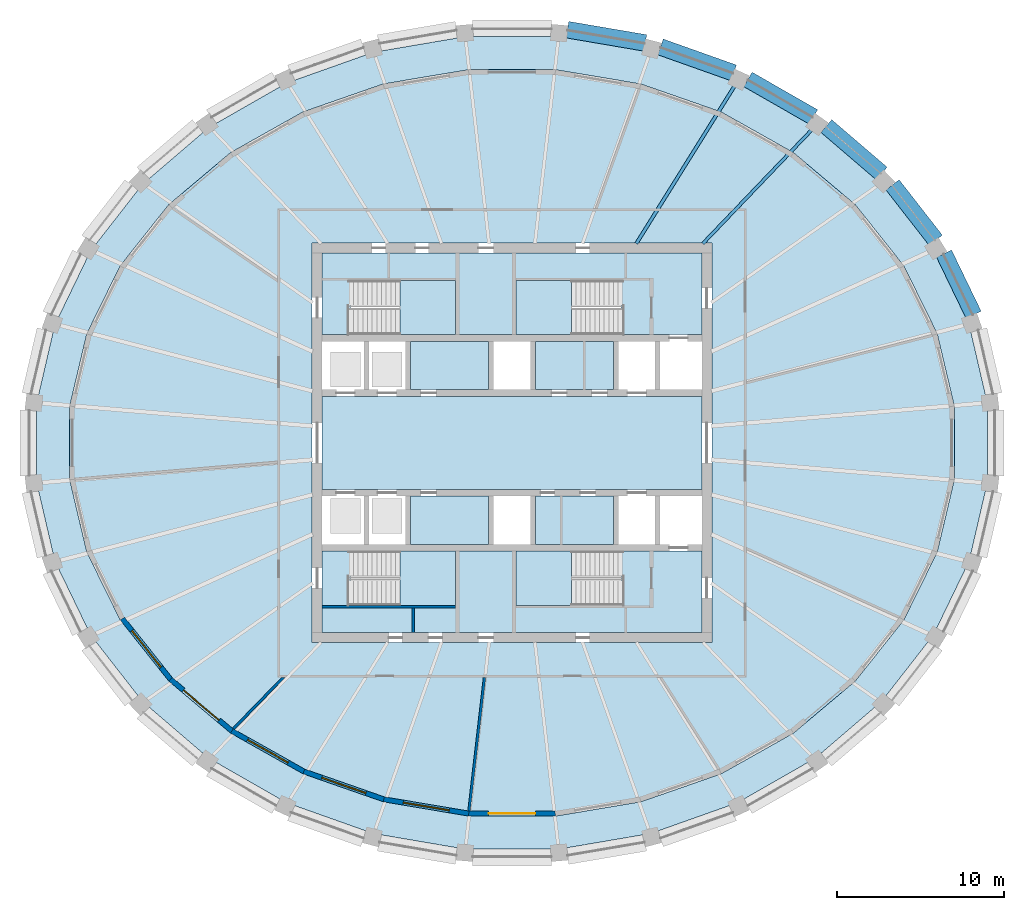
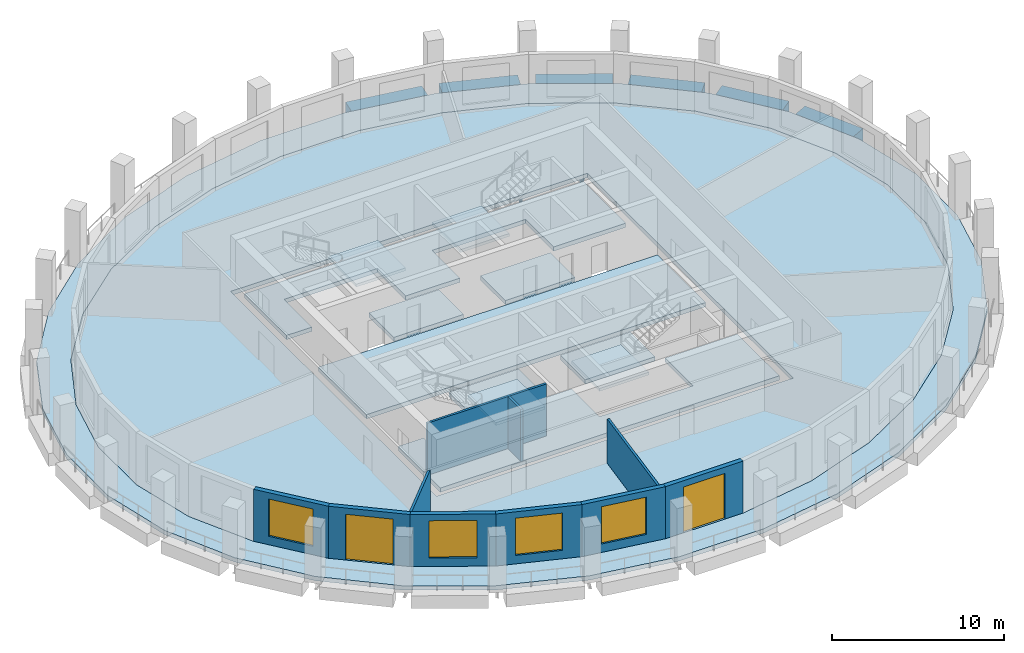
# One storey, part 2 of 10: 13 slabs, 10 walls, 8 beams, 4 windows, 2 doors, 6 openings, 4 elements without a shape of their own.
"""IFC4 building model written with IfcOpenShell, lengths in metres."""

import ifcopenshell
import ifcopenshell.guid

model = None  # the IFC model being written
_history = None  # IfcOwnerHistory: only IFC2X3 demands one
_inside = {}  # id of a spatial element -> (the spatial element, [elements in it])
_under = {}  # id of a project, library or spatial element -> (it, [spatial elements below it])
_declared = {}  # id of a project -> (the project, [libraries it declares])
_typed = {}  # id of a type object -> (the type object, [elements of that type])
_made_of = {}  # id of a material, layer set ... -> (it, [elements and type objects made of it])


def new_model(schema):
    """Start an empty IFC model of exactly this schema.

    Asked for "IFC4X3", IfcOpenShell would pick the latest addendum, in which some entities
    have other attributes; the version numbers below select the first issue.
    IFC2X3 requires an IfcOwnerHistory on every rooted entity: one is made here for all.
    """
    global model, _history
    if schema == "IFC4X3":
        model = ifcopenshell.file(schema_version=(4, 3, 0, 0))
    else:
        model = ifcopenshell.file(schema=schema)
    _inside.clear()
    _under.clear()
    _declared.clear()
    _typed.clear()
    _made_of.clear()
    _history = None
    if model.schema == "IFC2X3":
        org = make("IfcOrganization", Name="unknown")
        user = make(
            "IfcPersonAndOrganization",
            ThePerson=make("IfcPerson", FamilyName="unknown"),
            TheOrganization=org,
        )
        app = make(
            "IfcApplication",
            ApplicationDeveloper=org,
            Version="unknown",
            ApplicationFullName="unknown",
            ApplicationIdentifier="unknown",
        )
        _history = make(
            "IfcOwnerHistory",
            OwningUser=user,
            OwningApplication=app,
            ChangeAction="ADDED",
            CreationDate=0,
        )
    return model


def make(cls, **values):
    """One entity of the class cls with the attributes given. An attribute that is None is left unset."""
    return model.create_entity(
        cls, **{name: value for name, value in values.items() if value is not None}
    )


def rooted(cls, **values):
    """An entity with a GlobalId (a new one), such as an element, a storey or a relation."""
    return make(cls, GlobalId=ifcopenshell.guid.new(), OwnerHistory=_history, **values)


def si_unit(unit_type, name, prefix=None):
    """IfcSIUnit, for example si_unit("LENGTHUNIT", "METRE", prefix="MILLI")."""
    return make("IfcSIUnit", UnitType=unit_type, Prefix=prefix, Name=name)


def assignment(units):
    """IfcUnitAssignment: the units of a project."""
    return None if units is None else make("IfcUnitAssignment", Units=units)


def point(xyz):
    """IfcCartesianPoint."""
    return None if xyz is None else make("IfcCartesianPoint", Coordinates=xyz)


def direction(xyz):
    """IfcDirection."""
    return None if xyz is None else make("IfcDirection", DirectionRatios=xyz)


def frame(location, z_axis=None, x_axis=None):
    """IfcAxis2Placement3D, a coordinate frame: its origin and axes. An axis left out is left unset."""
    return make(
        "IfcAxis2Placement3D",
        Location=point(location),
        Axis=direction(z_axis),
        RefDirection=direction(x_axis),
    )


def frame_2d(location, x_axis=None):
    """IfcAxis2Placement2D, a coordinate frame in the plane: its origin and x axis."""
    return make(
        "IfcAxis2Placement2D", Location=point(location), RefDirection=direction(x_axis)
    )


def origin():
    """The frame at (0, 0, 0) with its axes left unset."""
    return frame((0.0, 0.0, 0.0))


def origin_2d():
    """The frame at (0, 0) in the plane with its x axis left unset."""
    return frame_2d((0.0, 0.0))


def place(relative_to, where):
    """IfcLocalPlacement: puts the frame where relative to a parent placement (None: the world)."""
    return make(
        "IfcLocalPlacement", PlacementRelTo=relative_to, RelativePlacement=where
    )


def context(
    kind, dimensions, precision=None, world=None, true_north=None, identifier=None
):
    """IfcGeometricRepresentationContext, for example the 3D "Model" context."""
    return make(
        "IfcGeometricRepresentationContext",
        ContextIdentifier=identifier,
        ContextType=kind,
        CoordinateSpaceDimension=dimensions,
        Precision=precision,
        WorldCoordinateSystem=world,
        TrueNorth=true_north,
    )


def subcontext(parent, identifier, kind, view, scale=None):
    """IfcGeometricRepresentationSubContext, for example "Body" below "Model"."""
    return make(
        "IfcGeometricRepresentationSubContext",
        ContextIdentifier=identifier,
        ContextType=kind,
        ParentContext=parent,
        TargetScale=scale,
        TargetView=view,
    )


def project(units=None, contexts=None):
    """IfcProject with its units and contexts."""
    return rooted(
        "IfcProject",
        Name="project",
        RepresentationContexts=contexts,
        UnitsInContext=assignment(units),
    )


def spatial(cls, under=None, at=None, **own):
    """A site, building, storey or space (cls), placed at a placement, below another one or the project."""
    s = rooted(cls, ObjectPlacement=at, **own)
    if under is not None:
        _under.setdefault(under.id(), (under, []))[1].append(s)
    return s


def polyline(points):
    """IfcPolyline through the points."""
    return make("IfcPolyline", Points=[point(p) for p in points])


def profile(cls, at=None, kind="AREA", **sizes):
    """A parametric profile (cls). Its sizes go by their IFC names, for example OverallWidth=200.0."""
    return make(cls, ProfileType=kind, Position=at, **sizes)


def rectangle(**sizes):
    """IfcRectangleProfileDef."""
    return profile("IfcRectangleProfileDef", **sizes)


def i_section(**sizes):
    """IfcIShapeProfileDef."""
    return profile("IfcIShapeProfileDef", **sizes)


def outline(outer, holes=None, kind="AREA"):
    """IfcArbitraryClosedProfileDef: a profile drawn as a closed curve; with holes, ...WithVoids."""
    if holes is None:
        return make("IfcArbitraryClosedProfileDef", ProfileType=kind, OuterCurve=outer)
    return make(
        "IfcArbitraryProfileDefWithVoids",
        ProfileType=kind,
        OuterCurve=outer,
        InnerCurves=holes,
    )


def extrude(swept, where, along, depth):
    """IfcExtrudedAreaSolid: the profile swept, set in the frame where, extruded along a direction by depth."""
    return make(
        "IfcExtrudedAreaSolid",
        SweptArea=swept,
        Position=where,
        ExtrudedDirection=direction(along),
        Depth=depth,
    )


def shape(context_of_items, identifier, shape_type, items):
    """IfcShapeRepresentation: the items that make up one representation, for example the "Body"."""
    return make(
        "IfcShapeRepresentation",
        ContextOfItems=context_of_items,
        RepresentationIdentifier=identifier,
        RepresentationType=shape_type,
        Items=items,
    )


def material(Name=None, Category=None):
    """IfcMaterial."""
    return make("IfcMaterial", Name=Name, Category=Category)


def layer(
    of_material, thickness, ventilated=None, Name=None, Category=None, Priority=None
):
    """IfcMaterialLayer: one layer of a wall or slab, of a material (None: an air gap)."""
    return make(
        "IfcMaterialLayer",
        Material=of_material,
        LayerThickness=thickness,
        IsVentilated=ventilated,
        Name=Name,
        Category=Category,
        Priority=Priority,
    )


def layer_set(layers, Name=None):
    """IfcMaterialLayerSet."""
    return make("IfcMaterialLayerSet", MaterialLayers=layers, LayerSetName=Name)


def material_profile(
    of_material, cross_section, Name=None, Category=None, Priority=None
):
    """IfcMaterialProfile: a cross section and its material."""
    return make(
        "IfcMaterialProfile",
        Name=Name,
        Material=of_material,
        Profile=cross_section,
        Priority=Priority,
        Category=Category,
    )


def profile_set(profiles, Name=None, composite=None):
    """IfcMaterialProfileSet."""
    return make(
        "IfcMaterialProfileSet",
        Name=Name,
        MaterialProfiles=profiles,
        CompositeProfile=composite,
    )


def made_of(thing, what):
    """Note that an element or type object is made of a material, layer set ...; save() writes the relation."""
    if what is not None:
        _made_of.setdefault(what.id(), (what, []))[1].append(thing)
    return thing


def type_object(cls, material=None, **own):
    """A type object (cls), such as IfcWallType, which elements share."""
    return made_of(rooted(cls, **own), material)


def element(
    cls,
    number,
    at=None,
    inside=None,
    cuts=None,
    type_object=None,
    material=None,
    context=None,
    identifier="Body",
    shape_type=None,
    held_by="IfcProductDefinitionShape",
    body=None,
    shapes=None,
    **own,
):
    """One element of the class cls, such as IfcWall. Its Tag is "e" and its number.

    at: its placement. inside: the storey or other place that contains it. cuts: it is an
    opening in that element (IfcRelVoidsElement). A single representation is given by context,
    identifier, shape_type and body (its items); several are given by shapes. held_by: the class
    of the entity that holds the representations. save() writes the other relations.
    """
    e = rooted(cls, Tag="e%d" % number, ObjectPlacement=at, **own)
    if body is not None:
        shapes = [shape(context, identifier, shape_type, body)]
    if shapes is not None:
        e.Representation = make(held_by, Representations=shapes)
    if inside is not None:
        _inside.setdefault(inside.id(), (inside, []))[1].append(e)
    if cuts is not None:
        rooted(
            "IfcRelVoidsElement", RelatingBuildingElement=cuts, RelatedOpeningElement=e
        )
    if type_object is not None:
        _typed.setdefault(type_object.id(), (type_object, []))[1].append(e)
    return made_of(e, material)


def fill(opening, filler):
    """IfcRelFillsElement: the door or window that sits in an opening."""
    return rooted(
        "IfcRelFillsElement",
        RelatingOpeningElement=opening,
        RelatedBuildingElement=filler,
    )


def aggregate(whole, parts):
    """IfcRelAggregates: a whole, such as a stair, and the parts it consists of."""
    return rooted("IfcRelAggregates", RelatingObject=whole, RelatedObjects=parts)


def save(model, path):
    """Write the relations noted so far, then the file.

    IfcRelAggregates (storeys below a building ...), IfcRelContainedInSpatialStructure (elements
    in a storey), IfcRelDefinesByType, IfcRelAssociatesMaterial and IfcRelDeclares: one each for
    every whole, place, type object, material and project.
    """
    for whole, parts in _under.values():
        aggregate(whole, parts)
    for where, things in _inside.values():
        rooted(
            "IfcRelContainedInSpatialStructure",
            RelatedElements=things,
            RelatingStructure=where,
        )
    for kind, things in _typed.values():
        rooted("IfcRelDefinesByType", RelatedObjects=things, RelatingType=kind)
    for what, things in _made_of.values():
        rooted("IfcRelAssociatesMaterial", RelatedObjects=things, RelatingMaterial=what)
    for by, libraries in _declared.values():
        rooted("IfcRelDeclares", RelatingContext=by, RelatedDefinitions=libraries)
    model.write(path)


model = new_model("IFC4")

# Units and contexts
model_context = context("Model", 3, precision=1e-05, world=origin(), true_north=direction((0.0, 1.0)))
body_context = subcontext(model_context, "Body", "Model", "MODEL_VIEW")
ifc_project = project(units=[si_unit("LENGTHUNIT", "METRE"), si_unit("AREAUNIT", "SQUARE_METRE"), si_unit("VOLUMEUNIT", "CUBIC_METRE"), si_unit("PLANEANGLEUNIT", "RADIAN"), si_unit("MASSUNIT", "GRAM", prefix="KILO")], contexts=[model_context])

# Site, building, storey
site_placement = place(None, origin())
site = spatial("IfcSite", under=ifc_project, at=site_placement, CompositionType="ELEMENT")
building_placement = place(site_placement, origin())
building = spatial("IfcBuilding", under=site, at=building_placement, Name="Halqa Exchange Tower", CompositionType="ELEMENT")
storey_placement = place(building_placement, frame((0.0, 0.0, 300.300048828125)))
storey = spatial("IfcBuildingStorey", under=building, at=storey_placement, Name="L70", CompositionType="ELEMENT", Elevation=300.300048828125)

# Beams
ifc_material_1 = material(Name="Steel S355", Category="steel")
ifc_material_profile_1 = material_profile(ifc_material_1, i_section(OverallWidth=0.18994140625, OverallDepth=0.449951171875, WebThickness=0.009521484375, FlangeThickness=0.0146484375, FilletRadius=0.02099609375, at=origin_2d()), Name="IPE 450")
ifc_profile_set_1 = profile_set([ifc_material_profile_1], Name="Steel S355")
beam_type_1 = type_object("IfcBeamType", Name="Floor beam IPE 450", PredefinedType="BEAM", material=ifc_profile_set_1)
beam_1_placement = place(storey_placement, frame((11.462890625, 11.97216796875, -0.525146484375), z_axis=(0.691588333375, 0.722291891924, 0.0), x_axis=(-0.722291891924, 0.691588333375, 0.0)))
element("IfcBeam", 1, at=beam_1_placement, inside=storey, type_object=beam_type_1, Name="Radial beam 5", PredefinedType="BEAM", context=body_context, shape_type="SweptSolid", body=[
    extrude(i_section(OverallWidth=0.18994140625, OverallDepth=0.449951171875, WebThickness=0.009521484375, FlangeThickness=0.0146484375, FilletRadius=0.02099609375, at=origin_2d()), origin(), (0.0, 0.0, 1.0), 9.820068359375),
])
ifc_material_profile_2 = material_profile(ifc_material_1, i_section(OverallWidth=0.199951171875, OverallDepth=0.5, WebThickness=0.01025390625, FlangeThickness=0.01611328125, FilletRadius=0.02099609375, at=origin_2d()), Name="IPE 500")
ifc_profile_set_2 = profile_set([ifc_material_profile_2], Name="Steel S355")
beam_type_2 = type_object("IfcBeamType", Name="Floor beam IPE 500", PredefinedType="BEAM", material=ifc_profile_set_2)
beam_2_placement = place(storey_placement, frame((7.4658203125, 11.97216796875, -0.550048828125), z_axis=(0.529140986863, 0.84853392155, 0.0), x_axis=(-0.84853392155, 0.529140986863, 0.0)))
element("IfcBeam", 2, at=beam_2_placement, inside=storey, type_object=beam_type_2, Name="Radial beam 6", PredefinedType="BEAM", context=body_context, shape_type="SweptSolid", body=[
    extrude(i_section(OverallWidth=0.199951171875, OverallDepth=0.5, WebThickness=0.01025390625, FlangeThickness=0.01611328125, FilletRadius=0.02099609375, at=origin_2d()), origin(), (0.0, 0.0, 1.0), 11.513916015625),
])
ifc_material_2 = material(Name="Concrete C60/75", Category="concrete")
ifc_material_profile_3 = material_profile(ifc_material_2, rectangle(XDim=1.0, YDim=0.89990234375, at=origin_2d()), Name="1000 x 900")
ifc_profile_set_3 = profile_set([ifc_material_profile_3], Name="Concrete C60/75")
beam_type_3 = type_object("IfcBeamType", Name="RC spandrel beam 1000 x 900 C60/75", PredefinedType="SPANDREL", material=ifc_profile_set_3)
beam_3_placement = place(storey_placement, frame((27.720703125, 7.689453125, -0.449951171875), z_axis=(-0.435091897701, 0.900386050844, 0.0), x_axis=(-0.900386050844, -0.435091897701, 0.0)))
element("IfcBeam", 3, at=beam_3_placement, inside=storey, type_object=beam_type_3, Name="Spandrel 2", PredefinedType="SPANDREL", context=body_context, shape_type="SweptSolid", body=[
    extrude(rectangle(XDim=1.0, YDim=0.89990234375, at=origin_2d()), origin(), (0.0, 0.0, 1.0), 4.082275390625),
])
beam_4_placement = place(storey_placement, frame((25.4462890625, 12.16650390625, -0.449951171875), z_axis=(-0.614849113514, 0.788644766426, 0.0), x_axis=(-0.788644766426, -0.614849113514, 0.0)))
element("IfcBeam", 4, at=beam_4_placement, inside=storey, type_object=beam_type_3, Name="Spandrel 3", PredefinedType="SPANDREL", context=body_context, shape_type="SweptSolid", body=[
    extrude(rectangle(XDim=1.0, YDim=0.89990234375, at=origin_2d()), origin(), (0.0, 0.0, 1.0), 4.22119140625),
])
beam_5_placement = place(storey_placement, frame((22.19970703125, 16.177978515625, -0.449951171875), z_axis=(-0.759244795716, 0.650805147627, 0.0), x_axis=(-0.650805147627, -0.759244795716, 0.0)))
element("IfcBeam", 5, at=beam_5_placement, inside=storey, type_object=beam_type_3, Name="Spandrel 4", PredefinedType="SPANDREL", context=body_context, shape_type="SweptSolid", body=[
    extrude(rectangle(XDim=1.0, YDim=0.89990234375, at=origin_2d()), origin(), (0.0, 0.0, 1.0), 4.37890625),
])
beam_6_placement = place(storey_placement, frame((18.10302734375, 19.572509765625, -0.449951171875), z_axis=(-0.867765502357, 0.496973875489, 0.0), x_axis=(-0.496973875489, -0.867765502357, 0.0)))
element("IfcBeam", 6, at=beam_6_placement, inside=storey, type_object=beam_type_3, Name="Spandrel 5", PredefinedType="SPANDREL", context=body_context, shape_type="SweptSolid", body=[
    extrude(rectangle(XDim=1.0, YDim=0.89990234375, at=origin_2d()), origin(), (0.0, 0.0, 1.0), 4.533203125),
])
beam_7_placement = place(storey_placement, frame((13.310791015625, 22.2197265625, -0.449951171875), z_axis=(-0.942367036973, 0.334580883535, 0.0), x_axis=(-0.334580883535, -0.942367036973, 0.0)))
element("IfcBeam", 7, at=beam_7_placement, inside=storey, type_object=beam_type_3, Name="Spandrel 6", PredefinedType="SPANDREL", context=body_context, shape_type="SweptSolid", body=[
    extrude(rectangle(XDim=1.0, YDim=0.89990234375, at=origin_2d()), origin(), (0.0, 0.0, 1.0), 4.662109375),
])
beam_8_placement = place(storey_placement, frame((8.00390625, 24.017578125, -0.449951171875), z_axis=(-0.985779293953, 0.168045183248, 0.0), x_axis=(-0.168045183248, -0.985779293953, 0.0)))
element("IfcBeam", 8, at=beam_8_placement, inside=storey, type_object=beam_type_3, Name="Spandrel 7", PredefinedType="SPANDREL", context=body_context, shape_type="SweptSolid", body=[
    extrude(rectangle(XDim=1.0, YDim=0.89990234375, at=origin_2d()), origin(), (0.0, 0.0, 1.0), 4.743408203125),
])

# Slabs
ifc_layer_1 = layer(ifc_material_2, 0.300048828125)
ifc_layer_set_1 = layer_set([ifc_layer_1], Name="Concrete C60/75")
slab_type_1 = type_object("IfcSlabType", Name="Core floor slab 300", PredefinedType="FLOOR", material=ifc_layer_set_1)
slab_1_placement = place(storey_placement, frame((0.0, 0.0, -0.300048828125)))
element("IfcSlab", 9, at=slab_1_placement, inside=storey, type_object=slab_type_1, Name="Core floor slab", PredefinedType="FLOOR", context=body_context, shape_type="SweptSolid", body=[
    extrude(outline(polyline([(-11.39990234375, 2.800048828125), (11.39990234375, 2.800048828125), (11.39990234375, -2.800048828125), (-11.39990234375, -2.800048828125), (-11.39990234375, 2.800048828125)])), origin(), (0.0, 0.0, 1.0), 0.300048828125),
])
slab_2_placement = place(storey_placement, frame((0.0, 0.0, -0.300048828125)))
element("IfcSlab", 10, at=slab_2_placement, inside=storey, type_object=slab_type_1, Name="Core floor slab", PredefinedType="FLOOR", context=body_context, shape_type="SweptSolid", body=[
    extrude(outline(polyline([(-11.39990234375, 11.39990234375), (11.39990234375, 11.39990234375), (11.39990234375, 6.5), (6.550048828125, 6.5), (6.550048828125, 9.75), (0.25, 9.75), (0.25, 6.5), (-3.39990234375, 6.5), (-3.39990234375, 9.75), (-9.699951171875, 9.75), (-9.699951171875, 6.5), (-11.39990234375, 6.5), (-11.39990234375, 11.39990234375)])), origin(), (0.0, 0.0, 1.0), 0.300048828125),
])
slab_3_placement = place(storey_placement, frame((0.0, 0.0, -0.300048828125)))
element("IfcSlab", 11, at=slab_3_placement, inside=storey, type_object=slab_type_1, Name="Core floor slab", PredefinedType="FLOOR", context=body_context, shape_type="SweptSolid", body=[
    extrude(outline(polyline([(-11.39990234375, -6.5), (-9.699951171875, -6.5), (-9.699951171875, -9.75), (-3.39990234375, -9.75), (-3.39990234375, -6.5), (0.25, -6.5), (0.25, -9.75), (6.550048828125, -9.75), (6.550048828125, -6.5), (11.39990234375, -6.5), (11.39990234375, -11.39990234375), (-11.39990234375, -11.39990234375), (-11.39990234375, -6.5)])), origin(), (0.0, 0.0, 1.0), 0.300048828125),
])
slab_4_placement = place(storey_placement, frame((0.0, 0.0, -0.300048828125)))
element("IfcSlab", 12, at=slab_4_placement, inside=storey, type_object=slab_type_1, Name="Core floor slab", PredefinedType="FLOOR", context=body_context, shape_type="SweptSolid", body=[
    extrude(outline(polyline([(-1.39990234375, -3.199951171875), (-1.39990234375, -6.10009765625), (-6.10009765625, -6.10009765625), (-6.10009765625, -3.199951171875), (-1.39990234375, -3.199951171875)])), origin(), (0.0, 0.0, 1.0), 0.300048828125),
])
slab_5_placement = place(storey_placement, frame((0.0, 0.0, -0.300048828125)))
element("IfcSlab", 13, at=slab_5_placement, inside=storey, type_object=slab_type_1, Name="Core floor slab", PredefinedType="FLOOR", context=body_context, shape_type="SweptSolid", body=[
    extrude(outline(polyline([(-1.39990234375, 3.199951171875), (-6.10009765625, 3.199951171875), (-6.10009765625, 6.10009765625), (-1.39990234375, 6.10009765625), (-1.39990234375, 3.199951171875)])), origin(), (0.0, 0.0, 1.0), 0.300048828125),
])
slab_6_placement = place(storey_placement, frame((0.0, 0.0, -0.300048828125)))
element("IfcSlab", 14, at=slab_6_placement, inside=storey, type_object=slab_type_1, Name="Core floor slab", PredefinedType="FLOOR", context=body_context, shape_type="SweptSolid", body=[
    extrude(outline(polyline([(6.10009765625, -3.199951171875), (6.10009765625, -6.10009765625), (1.39990234375, -6.10009765625), (1.39990234375, -3.199951171875), (6.10009765625, -3.199951171875)])), origin(), (0.0, 0.0, 1.0), 0.300048828125),
])
slab_7_placement = place(storey_placement, frame((0.0, 0.0, -0.300048828125)))
element("IfcSlab", 15, at=slab_7_placement, inside=storey, type_object=slab_type_1, Name="Core floor slab", PredefinedType="FLOOR", context=body_context, shape_type="SweptSolid", body=[
    extrude(outline(polyline([(6.10009765625, 6.10009765625), (6.10009765625, 3.199951171875), (1.39990234375, 3.199951171875), (1.39990234375, 6.10009765625), (6.10009765625, 6.10009765625)])), origin(), (0.0, 0.0, 1.0), 0.300048828125),
])
ifc_material_3 = material(Name="Concrete C40/50", Category="concrete")
ifc_layer_2 = layer(ifc_material_3, 0.300048828125)
ifc_layer_set_2 = layer_set([ifc_layer_2], Name="Concrete C40/50")
slab_type_2 = type_object("IfcSlabType", Name="RC floor slab 300", PredefinedType="FLOOR", material=ifc_layer_set_2)
slab_8_placement = place(storey_placement, frame((0.0, 0.0, -0.300048828125)))
element("IfcSlab", 16, at=slab_8_placement, inside=storey, type_object=slab_type_2, Name="Floor slab", PredefinedType="FLOOR", context=body_context, shape_type="SweptSolid", body=[
    extrude(outline(polyline([(26.55712890625, 2.21240234375), (25.5322265625, 6.55078125), (23.523681640625, 10.63330078125), (20.611572265625, 14.302978515625), (16.90966796875, 17.419921875), (12.561279296875, 19.866455078125), (7.733642578125, 21.550048828125), (2.611083984375, 22.407958984375), (-2.611083984375, 22.407958984375), (-7.733642578125, 21.550048828125), (-12.561279296875, 19.866455078125), (-16.90966796875, 17.419921875), (-20.611572265625, 14.302978515625), (-23.523681640625, 10.63330078125), (-25.5322265625, 6.55078125), (-26.55712890625, 2.21240234375), (-26.55712890625, -2.21240234375), (-25.5322265625, -6.55078125), (-23.523681640625, -10.63330078125), (-20.611572265625, -14.302978515625), (-16.90966796875, -17.419921875), (-12.561279296875, -19.866455078125), (-7.733642578125, -21.550048828125), (-2.611083984375, -22.407958984375), (2.611083984375, -22.407958984375), (7.733642578125, -21.550048828125), (12.561279296875, -19.866455078125), (16.90966796875, -17.419921875), (20.611572265625, -14.302978515625), (23.523681640625, -10.63330078125), (25.5322265625, -6.55078125), (26.55712890625, -2.21240234375), (26.55712890625, 2.21240234375)]), holes=[polyline([(-12.0, -12.0), (12.0, -12.0), (12.0, 12.0), (-12.0, 12.0), (-12.0, -12.0)])]), origin(), (0.0, 0.0, 1.0), 0.300048828125),
])
ifc_layer_3 = layer(ifc_material_3, 0.300048828125)
ifc_layer_set_3 = layer_set([ifc_layer_3], Name="Concrete C40/50")
slab_type_3 = type_object("IfcSlabType", Name="RC loggia slab 300", PredefinedType="FLOOR", material=ifc_layer_set_3)
slab_9_placement = place(storey_placement, frame((0.0, 0.0, -0.300048828125)))
element("IfcSlab", 17, at=slab_9_placement, inside=storey, type_object=slab_type_3, Name="Loggia slab", PredefinedType="FLOOR", context=body_context, shape_type="SweptSolid", body=[
    extrude(outline(polyline([(28.543701171875, 2.39453125), (28.543701171875, -2.39453125), (27.452880859375, -7.09423828125), (25.311279296875, -11.526611328125), (22.1962890625, -15.522216796875), (18.224853515625, -18.926513671875), (13.547607421875, -21.60498046875), (8.34521484375, -23.452392578125), (2.818359375, -24.39453125), (-2.818359375, -24.39453125), (-8.34521484375, -23.452392578125), (-13.547607421875, -21.60498046875), (-18.224853515625, -18.926513671875), (-22.1962890625, -15.522216796875), (-25.311279296875, -11.526611328125), (-27.452880859375, -7.09423828125), (-28.543701171875, -2.39453125), (-28.543701171875, 2.39453125), (-27.452880859375, 7.09423828125), (-25.311279296875, 11.526611328125), (-22.1962890625, 15.522216796875), (-18.224853515625, 18.926513671875), (-13.547607421875, 21.60498046875), (-8.34521484375, 23.452392578125), (-2.818359375, 24.39453125), (2.818359375, 24.39453125), (8.34521484375, 23.452392578125), (13.547607421875, 21.60498046875), (18.224853515625, 18.926513671875), (22.1962890625, 15.522216796875), (25.311279296875, 11.526611328125), (27.452880859375, 7.09423828125), (28.543701171875, 2.39453125)]), holes=[polyline([(26.55712890625, 2.21240234375), (25.5322265625, 6.55078125), (23.523681640625, 10.63330078125), (20.611572265625, 14.302978515625), (16.90966796875, 17.419921875), (12.561279296875, 19.866455078125), (7.733642578125, 21.550048828125), (2.611083984375, 22.407958984375), (-2.611083984375, 22.407958984375), (-7.733642578125, 21.550048828125), (-12.561279296875, 19.866455078125), (-16.90966796875, 17.419921875), (-20.611572265625, 14.302978515625), (-23.523681640625, 10.63330078125), (-25.5322265625, 6.55078125), (-26.55712890625, 2.21240234375), (-26.55712890625, -2.21240234375), (-25.5322265625, -6.55078125), (-23.523681640625, -10.63330078125), (-20.611572265625, -14.302978515625), (-16.90966796875, -17.419921875), (-12.561279296875, -19.866455078125), (-7.733642578125, -21.550048828125), (-2.611083984375, -22.407958984375), (2.611083984375, -22.407958984375), (7.733642578125, -21.550048828125), (12.561279296875, -19.866455078125), (16.90966796875, -17.419921875), (20.611572265625, -14.302978515625), (23.523681640625, -10.63330078125), (25.5322265625, -6.55078125), (26.55712890625, -2.21240234375), (26.55712890625, 2.21240234375)])]), origin(), (0.0, 0.0, 1.0), 0.300048828125),
])

# Stair, slab
ifc_material_4 = material(Name="Concrete C30/37", Category="concrete")
stair_type = type_object("IfcStairType", Name="Exit stair 1500 wide", PredefinedType="HALF_TURN_STAIR", material=ifc_material_4)
stair_1_placement = place(storey_placement, origin())
stair_1 = element("IfcStair", 18, at=stair_1_placement, inside=storey, type_object=stair_type, Name="Exit stair ST1", PredefinedType="HALF_TURN_STAIR")
ifc_layer_4 = layer(ifc_material_4, 0.199951171875)
ifc_layer_set_4 = layer_set([ifc_layer_4], Name="Concrete C30/37")
slab_type_4 = type_object("IfcSlabType", Name="Stair landing 200 slab", PredefinedType="LANDING", material=ifc_layer_set_4)
slab_10_placement = place(storey_placement, frame((0.0, 0.0, 1.800048828125)))
slab_10 = element("IfcSlab", 19, at=slab_10_placement, type_object=slab_type_4, Name="ST1 landing 1", PredefinedType="LANDING", context=body_context, shape_type="SweptSolid", body=[
    extrude(outline(polyline([(-6.719970703125, 6.5), (-3.39990234375, 6.5), (-3.39990234375, 9.75), (-6.719970703125, 9.75), (-6.719970703125, 6.5)])), origin(), (0.0, 0.0, 1.0), 0.199951171875),
])
aggregate(stair_1, [slab_10])

stair_2_placement = place(storey_placement, origin())
stair_2 = element("IfcStair", 20, at=stair_2_placement, inside=storey, type_object=stair_type, Name="Exit stair ST2", PredefinedType="HALF_TURN_STAIR")
slab_11_placement = place(storey_placement, frame((0.0, 0.0, 1.800048828125)))
slab_11 = element("IfcSlab", 21, at=slab_11_placement, type_object=slab_type_4, Name="ST2 landing 1", PredefinedType="LANDING", context=body_context, shape_type="SweptSolid", body=[
    extrude(outline(polyline([(0.25, 6.5), (3.570068359375, 6.5), (3.570068359375, 9.75), (0.25, 9.75), (0.25, 6.5)])), origin(), (0.0, 0.0, 1.0), 0.199951171875),
])
aggregate(stair_2, [slab_11])

stair_3_placement = place(storey_placement, origin())
stair_3 = element("IfcStair", 22, at=stair_3_placement, inside=storey, type_object=stair_type, Name="Exit stair ST3", PredefinedType="HALF_TURN_STAIR")
slab_12_placement = place(storey_placement, frame((0.0, 0.0, 1.800048828125)))
slab_12 = element("IfcSlab", 23, at=slab_12_placement, type_object=slab_type_4, Name="ST3 landing 1", PredefinedType="LANDING", context=body_context, shape_type="SweptSolid", body=[
    extrude(outline(polyline([(-6.719970703125, -9.75), (-3.39990234375, -9.75), (-3.39990234375, -6.5), (-6.719970703125, -6.5), (-6.719970703125, -9.75)])), origin(), (0.0, 0.0, 1.0), 0.199951171875),
])
aggregate(stair_3, [slab_12])

stair_4_placement = place(storey_placement, origin())
stair_4 = element("IfcStair", 24, at=stair_4_placement, inside=storey, type_object=stair_type, Name="Exit stair ST4", PredefinedType="HALF_TURN_STAIR")
slab_13_placement = place(storey_placement, frame((0.0, 0.0, 1.800048828125)))
slab_13 = element("IfcSlab", 25, at=slab_13_placement, type_object=slab_type_4, Name="ST4 landing 1", PredefinedType="LANDING", context=body_context, shape_type="SweptSolid", body=[
    extrude(outline(polyline([(0.25, -9.75), (3.570068359375, -9.75), (3.570068359375, -6.5), (0.25, -6.5), (0.25, -9.75)])), origin(), (0.0, 0.0, 1.0), 0.199951171875),
])
aggregate(stair_4, [slab_13])

# Walls
ifc_material_5 = material(Name="Fire-rated gypsum board")
ifc_layer_5 = layer(ifc_material_5, 0.14990234375)
ifc_layer_set_5 = layer_set([ifc_layer_5], Name="Fire-rated gypsum board")
wall_type_1 = type_object("IfcWallType", Name="Fire partition EI 60 150", PredefinedType="PARTITIONING", material=ifc_layer_set_5)
wall_1_placement = place(storey_placement, frame((-13.67236328125, -14.02294921875, 0.0), z_axis=(0.0, 0.0, 1.0), x_axis=(-0.697528481307, -0.716557058277, 0.0)))
element("IfcWall", 26, at=wall_1_placement, inside=storey, type_object=wall_type_1, Name="L70-PWL-006", PredefinedType="PARTITIONING", context=body_context, shape_type="SweptSolid", body=[
    extrude(outline(polyline([(0.0, 0.074951171875), (0.0, 0.07470703125), (0.1455078125, -0.074951171875), (1.555419921875, -0.074951171875), (2.965087890625, -0.074951171875), (4.375, -0.074951171875), (4.375, 0.074951171875), (2.916748046875, 0.074951171875), (1.458251953125, 0.074951171875), (0.0, 0.074951171875)])), origin(), (0.0, 0.0, 1.0), 3.699951171875),
])
wall_2_placement = place(storey_placement, frame((-1.647705078125, -14.06640625, 0.0), z_axis=(0.0, 0.0, 1.0), x_axis=(-0.115734847025, -0.993280144362, 0.0)))
element("IfcWall", 27, at=wall_2_placement, inside=storey, type_object=wall_type_1, Name="L70-PWL-007", PredefinedType="PARTITIONING", context=body_context, shape_type="SweptSolid", body=[
    extrude(outline(polyline([(8.092041015625, -0.074951171875), (8.092041015625, 0.033935546875), (8.087158203125, 0.074951171875), (6.4697265625, 0.074951171875), (4.852294921875, 0.074951171875), (3.23486328125, 0.074951171875), (1.617431640625, 0.074951171875), (0.0, 0.074951171875), (0.0, 0.07421875), (0.017333984375, -0.074951171875), (1.63232421875, -0.074951171875), (3.247314453125, -0.074951171875), (4.862060546875, -0.074951171875), (6.47705078125, -0.074951171875), (8.092041015625, -0.074951171875)])), origin(), (0.0, 0.0, 1.0), 3.14990234375),
])
ifc_material_6 = material(Name="Gypsum board")
ifc_layer_6 = layer(ifc_material_6, 0.14990234375)
ifc_layer_set_6 = layer_set([ifc_layer_6], Name="Gypsum board")
wall_type_2 = type_object("IfcWallType", Name="Penthouse riser wall 150 gypsum", PredefinedType="PARTITIONING", material=ifc_layer_set_6)
wall_3_placement = place(storey_placement, frame((-5.925048828125, -11.39990234375, 0.0), z_axis=(0.0, 0.0, 1.0), x_axis=(0.0, 1.0, 0.0)))
element("IfcWall", 28, at=wall_3_placement, inside=storey, type_object=wall_type_2, Name="Partition W5.925 S", PredefinedType="PARTITIONING", context=body_context, shape_type="SweptSolid", body=[
    extrude(rectangle(XDim=1.5, YDim=0.14990234375, at=frame_2d((0.75, 0.0))), origin(), (0.0, 0.0, 1.0), 3.699951171875),
])
ifc_layer_7 = layer(ifc_material_4, 0.14990234375)
ifc_layer_set_7 = layer_set([ifc_layer_7], Name="Concrete C30/37")
wall_type_3 = type_object("IfcWallType", Name="RC stair wall 150 C30/37", PredefinedType="SHEAR", material=ifc_layer_set_7)
wall_4_placement = place(storey_placement, frame((-11.39990234375, -9.824951171875, 0.0), z_axis=(0.0, 0.0, 1.0), x_axis=(1.0, 0.0, 0.0)))
element("IfcWall", 29, at=wall_4_placement, inside=storey, type_object=wall_type_3, Name="Stair ST1 north wall S", PredefinedType="SHEAR", context=body_context, shape_type="SweptSolid", body=[
    extrude(rectangle(XDim=8.0, YDim=0.14990234375, at=frame_2d((4.0, 0.0))), origin(), (0.0, 0.0, 1.0), 3.699951171875),
])

# Wall, opening, window
ifc_material_7 = material(Name="Limestone cladding", Category="masonry")
ifc_layer_8 = layer(ifc_material_7, 0.0400390625)
ifc_material_8 = material(Name="Ventilated cavity")
ifc_layer_9 = layer(ifc_material_8, 0.030029296875, ventilated=True)
ifc_material_9 = material(Name="Mineral wool insulation")
ifc_layer_10 = layer(ifc_material_9, 0.10009765625)
ifc_layer_11 = layer(ifc_material_4, 0.10009765625)
ifc_material_10 = material(Name="Internal plaster")
ifc_layer_12 = layer(ifc_material_10, 0.030029296875)
ifc_layer_set_8 = layer_set([ifc_layer_8, ifc_layer_9, ifc_layer_10, ifc_layer_11, ifc_layer_12], Name="Stone-faced insulated wall 300")
wall_type_4 = type_object("IfcWallType", Name="Stone-faced insulated wall 300", PredefinedType="STANDARD", material=ifc_layer_set_8)
wall_5_placement = place(storey_placement, frame((-23.396240234375, -10.552734375, 0.0), z_axis=(0.0, 0.0, 1.0), x_axis=(0.621625671247, -0.783314448256, 0.0)))
wall_5 = element("IfcWall", 30, at=wall_5_placement, inside=storey, type_object=wall_type_4, Name="Glass-line wall 19", PredefinedType="STANDARD", context=body_context, shape_type="SweptSolid", body=[
    extrude(outline(polyline([(-0.01611328125, -0.14990234375), (4.668701171875, -0.14990234375), (4.638427734375, 0.14990234375), (0.01611328125, 0.14990234375), (-0.01611328125, -0.14990234375)])), origin(), (0.0, 0.0, 1.0), 3.699951171875),
])
opening_1_placement = place(wall_5_placement, frame((0.927001953125, 0.0, 0.60009765625)))
opening_1 = element("IfcOpeningElement", 31, at=opening_1_placement, cuts=wall_5, Name="Opening W-F4-19", PredefinedType="OPENING", context=body_context, shape_type="SweptSolid", body=[
    extrude(rectangle(XDim=2.800048828125, YDim=2.64990234375, at=frame_2d((1.39990234375, 1.324951171875))), frame((0.0, 0.162109375, 0.0), z_axis=(0.0, -1.0, 0.0), x_axis=(1.0, 0.0, 0.0)), (0.0, 0.0, 1.0), 0.323974609375),
])
ifc_material_11 = material(Name="Clear low-emissivity glass in aluminium frame", Category="aluminium")
window_type = type_object("IfcWindowType", Name="Fixed clear glazed window 2800 x 2650", PartitioningType="DOUBLE_PANEL_VERTICAL", PredefinedType="WINDOW", material=ifc_material_11)
window_1_placement = place(opening_1_placement, origin())
window_1 = element("IfcWindow", 32, at=window_1_placement, inside=storey, type_object=window_type, Name="Window 4", OverallHeight=2.64990234375, OverallWidth=2.800048828125, PartitioningType="DOUBLE_PANEL_VERTICAL", PredefinedType="WINDOW", context=body_context, shape_type="SweptSolid", body=[
    extrude(rectangle(XDim=2.800048828125, YDim=2.64990234375, at=frame_2d((1.39990234375, 1.324951171875))), frame((0.0, 0.030029296875, 0.0), z_axis=(0.0, -1.0, 0.0), x_axis=(1.0, 0.0, 0.0)), (0.0, 0.0, 1.0), 0.06005859375),
])
fill(opening_1, window_1)

# Wall, opening, door
wall_6_placement = place(storey_placement, frame((-20.50341796875, -14.197998046875, 0.0), z_axis=(0.0, 0.0, 1.0), x_axis=(0.764966473721, -0.644070100286, 0.0)))
wall_6 = element("IfcWall", 33, at=wall_6_placement, inside=storey, type_object=wall_type_4, Name="Glass-line wall 20", PredefinedType="STANDARD", context=body_context, shape_type="SweptSolid", body=[
    extrude(outline(polyline([(-0.01513671875, -0.14990234375), (4.824462890625, -0.14990234375), (4.796142578125, 0.14990234375), (0.01513671875, 0.14990234375), (-0.01513671875, -0.14990234375)])), origin(), (0.0, 0.0, 1.0), 3.699951171875),
])
opening_2_placement = place(wall_6_placement, frame((1.005126953125, 0.0, 0.0)))
opening_2 = element("IfcOpeningElement", 34, at=opening_2_placement, cuts=wall_6, Name="Opening LG-F4-05", PredefinedType="OPENING", context=body_context, shape_type="SweptSolid", body=[
    extrude(rectangle(XDim=2.800048828125, YDim=3.25, at=frame_2d((1.39990234375, 1.625))), frame((0.0, 0.162109375, 0.0), z_axis=(0.0, -1.0, 0.0), x_axis=(1.0, 0.0, 0.0)), (0.0, 0.0, 1.0), 0.323974609375),
])
door_type = type_object("IfcDoorType", Name="Glazed sliding loggia door 2800 x 3250", OperationType="DOUBLE_DOOR_SLIDING", PredefinedType="DOOR", material=ifc_material_11)
door_1_placement = place(opening_2_placement, origin())
door_1 = element("IfcDoor", 35, at=door_1_placement, inside=storey, type_object=door_type, Name="Loggia door 5", OperationType="DOUBLE_DOOR_SLIDING", OverallHeight=3.25, OverallWidth=2.800048828125, PredefinedType="DOOR", context=body_context, shape_type="SweptSolid", body=[
    extrude(rectangle(XDim=2.800048828125, YDim=3.25, at=frame_2d((1.39990234375, 1.625))), frame((0.0, 0.02490234375, 0.0), z_axis=(0.0, -1.0, 0.0), x_axis=(1.0, 0.0, 0.0)), (0.0, 0.0, 1.0), 0.050048828125),
])
fill(opening_2, door_1)

# Wall, opening, window
wall_7_placement = place(storey_placement, frame((-16.82373046875, -17.296142578125, 0.0), z_axis=(0.0, 0.0, 1.0), x_axis=(0.871512454536, -0.490373369575, 0.0)))
wall_7 = element("IfcWall", 36, at=wall_7_placement, inside=storey, type_object=wall_type_4, Name="Glass-line wall 21", PredefinedType="STANDARD", context=body_context, shape_type="SweptSolid", body=[
    extrude(outline(polyline([(-0.01416015625, -0.14990234375), (4.97509765625, -0.14990234375), (4.9482421875, 0.14990234375), (0.01416015625, 0.14990234375), (-0.01416015625, -0.14990234375)])), origin(), (0.0, 0.0, 1.0), 3.699951171875),
])
opening_3_placement = place(wall_7_placement, frame((1.080810546875, 0.0, 0.60009765625)))
opening_3 = element("IfcOpeningElement", 37, at=opening_3_placement, cuts=wall_7, Name="Opening W-F4-21", PredefinedType="OPENING", context=body_context, shape_type="SweptSolid", body=[
    extrude(rectangle(XDim=2.800048828125, YDim=2.64990234375, at=frame_2d((1.39990234375, 1.324951171875))), frame((0.0, 0.162109375, 0.0), z_axis=(0.0, -1.0, 0.0), x_axis=(1.0, 0.0, 0.0)), (0.0, 0.0, 1.0), 0.323974609375),
])
window_2_placement = place(opening_3_placement, origin())
window_2 = element("IfcWindow", 38, at=window_2_placement, inside=storey, type_object=window_type, Name="Window 4", OverallHeight=2.64990234375, OverallWidth=2.800048828125, PartitioningType="DOUBLE_PANEL_VERTICAL", PredefinedType="WINDOW", context=body_context, shape_type="SweptSolid", body=[
    extrude(rectangle(XDim=2.800048828125, YDim=2.64990234375, at=frame_2d((1.39990234375, 1.324951171875))), frame((0.0, 0.030029296875, 0.0), z_axis=(0.0, -1.0, 0.0), x_axis=(1.0, 0.0, 0.0)), (0.0, 0.0, 1.0), 0.06005859375),
])
fill(opening_3, window_2)

wall_8_placement = place(storey_placement, frame((-12.49951171875, -19.729248046875, 0.0), z_axis=(0.0, 0.0, 1.0), x_axis=(0.944230376095, -0.329285585564, 0.0)))
wall_8 = element("IfcWall", 39, at=wall_8_placement, inside=storey, type_object=wall_type_4, Name="Glass-line wall 22", PredefinedType="STANDARD", context=body_context, shape_type="SweptSolid", body=[
    extrude(outline(polyline([(-0.013427734375, -0.14990234375), (5.099609375, -0.14990234375), (5.07421875, 0.14990234375), (0.013427734375, 0.14990234375), (-0.013427734375, -0.14990234375)])), origin(), (0.0, 0.0, 1.0), 3.699951171875),
])
opening_4_placement = place(wall_8_placement, frame((1.143310546875, 0.0, 0.60009765625)))
opening_4 = element("IfcOpeningElement", 40, at=opening_4_placement, cuts=wall_8, Name="Opening W-F4-22", PredefinedType="OPENING", context=body_context, shape_type="SweptSolid", body=[
    extrude(rectangle(XDim=2.800048828125, YDim=2.64990234375, at=frame_2d((1.39990234375, 1.324951171875))), frame((0.0, 0.162109375, 0.0), z_axis=(0.0, -1.0, 0.0), x_axis=(1.0, 0.0, 0.0)), (0.0, 0.0, 1.0), 0.323974609375),
])
window_3_placement = place(opening_4_placement, origin())
window_3 = element("IfcWindow", 41, at=window_3_placement, inside=storey, type_object=window_type, Name="Window 4", OverallHeight=2.64990234375, OverallWidth=2.800048828125, PartitioningType="DOUBLE_PANEL_VERTICAL", PredefinedType="WINDOW", context=body_context, shape_type="SweptSolid", body=[
    extrude(rectangle(XDim=2.800048828125, YDim=2.64990234375, at=frame_2d((1.39990234375, 1.324951171875))), frame((0.0, 0.030029296875, 0.0), z_axis=(0.0, -1.0, 0.0), x_axis=(1.0, 0.0, 0.0)), (0.0, 0.0, 1.0), 0.06005859375),
])
fill(opening_4, window_3)

wall_9_placement = place(storey_placement, frame((-7.6962890625, -21.404296875, 0.0), z_axis=(0.0, 0.0, 1.0), x_axis=(0.986263399459, -0.165180225475, 0.0)))
wall_9 = element("IfcWall", 42, at=wall_9_placement, inside=storey, type_object=wall_type_4, Name="Glass-line wall 23", PredefinedType="STANDARD", context=body_context, shape_type="SweptSolid", body=[
    extrude(outline(polyline([(-0.0126953125, -0.14990234375), (5.18115234375, -0.14990234375), (5.15625, 0.14990234375), (0.0126953125, 0.14990234375), (-0.0126953125, -0.14990234375)])), origin(), (0.0, 0.0, 1.0), 3.699951171875),
])
opening_5_placement = place(wall_9_placement, frame((1.184326171875, 0.0, 0.60009765625)))
opening_5 = element("IfcOpeningElement", 43, at=opening_5_placement, cuts=wall_9, Name="Opening W-F4-23", PredefinedType="OPENING", context=body_context, shape_type="SweptSolid", body=[
    extrude(rectangle(XDim=2.800048828125, YDim=2.64990234375, at=frame_2d((1.39990234375, 1.324951171875))), frame((0.0, 0.162109375, 0.0), z_axis=(0.0, -1.0, 0.0), x_axis=(1.0, 0.0, 0.0)), (0.0, 0.0, 1.0), 0.323974609375),
])
window_4_placement = place(opening_5_placement, origin())
window_4 = element("IfcWindow", 44, at=window_4_placement, inside=storey, type_object=window_type, Name="Window 4", OverallHeight=2.64990234375, OverallWidth=2.800048828125, PartitioningType="DOUBLE_PANEL_VERTICAL", PredefinedType="WINDOW", context=body_context, shape_type="SweptSolid", body=[
    extrude(rectangle(XDim=2.800048828125, YDim=2.64990234375, at=frame_2d((1.39990234375, 1.324951171875))), frame((0.0, 0.030029296875, 0.0), z_axis=(0.0, -1.0, 0.0), x_axis=(1.0, 0.0, 0.0)), (0.0, 0.0, 1.0), 0.06005859375),
])
fill(opening_5, window_4)

# Wall, opening, door
wall_10_placement = place(storey_placement, frame((-2.5986328125, -22.258056640625, 0.0), z_axis=(0.0, 0.0, 1.0), x_axis=(1.0, 0.0, 0.0)))
wall_10 = element("IfcWall", 45, at=wall_10_placement, inside=storey, type_object=wall_type_4, Name="Glass-line wall 24", PredefinedType="STANDARD", context=body_context, shape_type="SweptSolid", body=[
    extrude(outline(polyline([(-0.012451171875, -0.14990234375), (5.209716796875, -0.14990234375), (5.184814453125, 0.14990234375), (0.012451171875, 0.14990234375), (-0.012451171875, -0.14990234375)])), origin(), (0.0, 0.0, 1.0), 3.699951171875),
])
opening_6_placement = place(wall_10_placement, frame((1.198486328125, 0.0, 0.0)))
opening_6 = element("IfcOpeningElement", 46, at=opening_6_placement, cuts=wall_10, Name="Opening LG-F4-06", PredefinedType="OPENING", context=body_context, shape_type="SweptSolid", body=[
    extrude(rectangle(XDim=2.800048828125, YDim=3.25, at=frame_2d((1.39990234375, 1.625))), frame((0.0, 0.162109375, 0.0), z_axis=(0.0, -1.0, 0.0), x_axis=(1.0, 0.0, 0.0)), (0.0, 0.0, 1.0), 0.323974609375),
])
door_2_placement = place(opening_6_placement, origin())
door_2 = element("IfcDoor", 47, at=door_2_placement, inside=storey, type_object=door_type, Name="Loggia door 6", OperationType="DOUBLE_DOOR_SLIDING", OverallHeight=3.25, OverallWidth=2.800048828125, PredefinedType="DOOR", context=body_context, shape_type="SweptSolid", body=[
    extrude(rectangle(XDim=2.800048828125, YDim=3.25, at=frame_2d((1.39990234375, 1.625))), frame((0.0, 0.02490234375, 0.0), z_axis=(0.0, -1.0, 0.0), x_axis=(1.0, 0.0, 0.0)), (0.0, 0.0, 1.0), 0.050048828125),
])
fill(opening_6, door_2)

save(model, "model.ifc")
